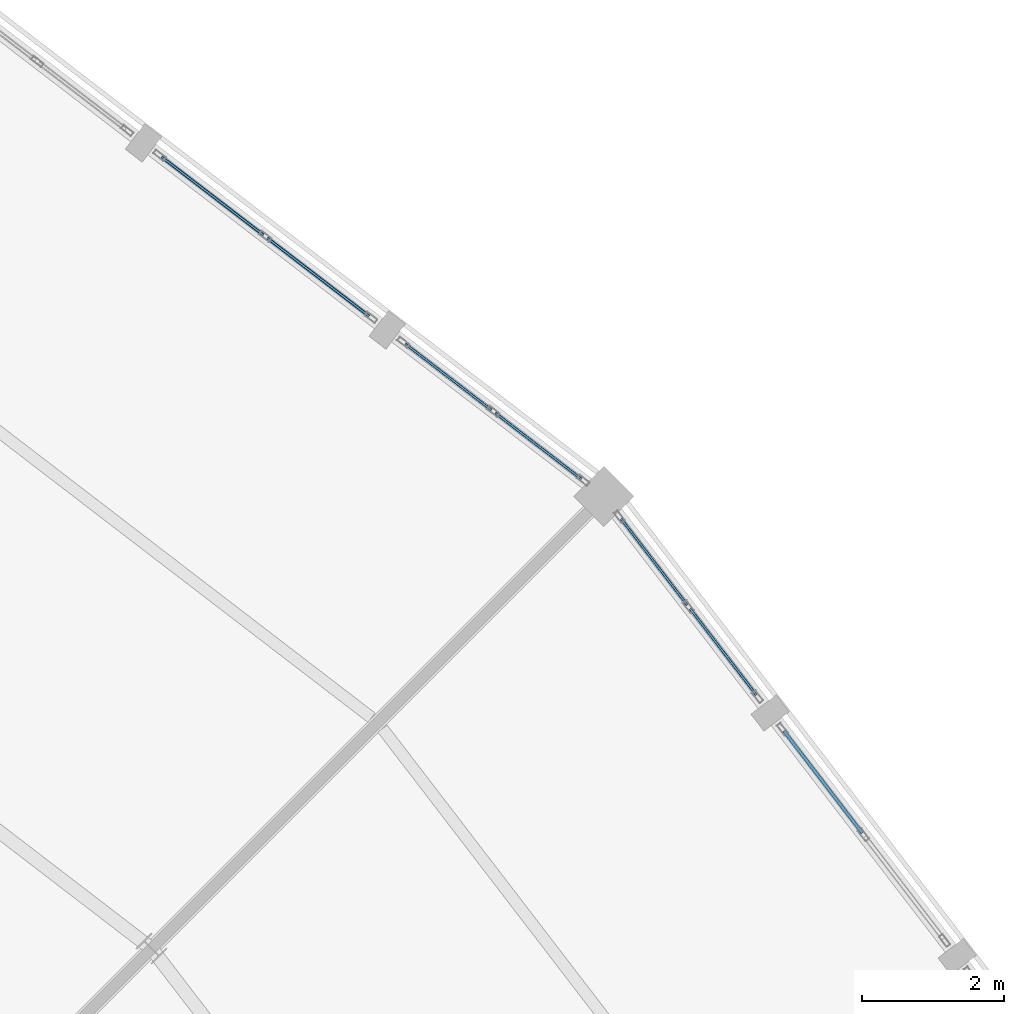
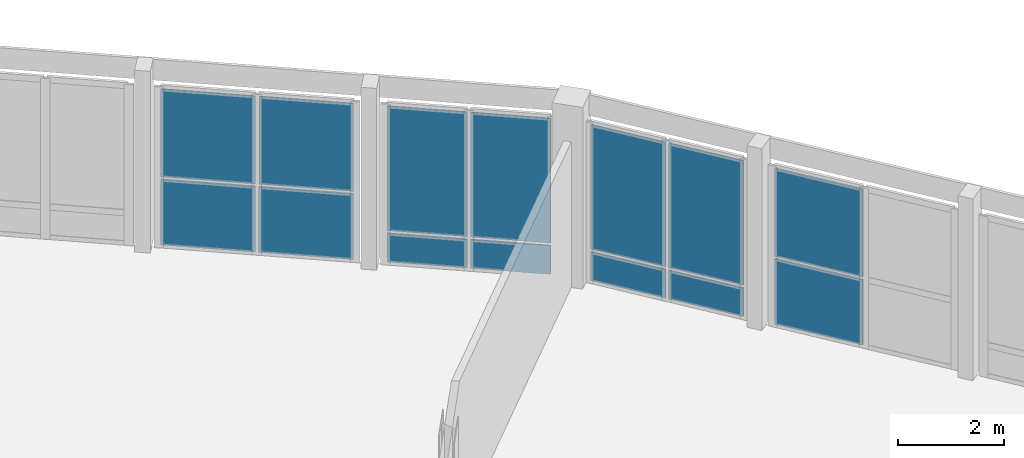
# One storey, part 135 of 170: 14 plates, 4 elements without a shape of their own.
"""IFC4 building model written with IfcOpenShell, lengths in metres."""

from ifc_helpers import new_model, si_unit, direction, frame, origin, origin_2d, place, context, subcontext, project, spatial, rectangle, extrude, material, layer, layer_set, type_object, element, aggregate, save


model = new_model("IFC4")

# Units and contexts
model_context = context("Model", 3, precision=1e-05, world=origin(), true_north=direction((0.0, 1.0)))
body_context = subcontext(model_context, "Body", "Model", "MODEL_VIEW")
ifc_project = project(units=[si_unit("LENGTHUNIT", "METRE"), si_unit("AREAUNIT", "SQUARE_METRE"), si_unit("VOLUMEUNIT", "CUBIC_METRE"), si_unit("PLANEANGLEUNIT", "RADIAN"), si_unit("MASSUNIT", "GRAM", prefix="KILO")], contexts=[model_context])

# Site, building, storey
site_placement = place(None, origin())
site = spatial("IfcSite", under=ifc_project, at=site_placement, CompositionType="ELEMENT")
building_placement = place(site_placement, origin())
building = spatial("IfcBuilding", under=site, at=building_placement, Name="Vondelvale Polytechnic", CompositionType="ELEMENT")
storey_placement = place(building_placement, frame((0.0, 0.0, 5.39990234375)))
storey = spatial("IfcBuildingStorey", under=building, at=storey_placement, Name="L01", CompositionType="ELEMENT", Elevation=5.39990234375)

# Curtain wall, plates
ifc_material_1 = material(Name="Glulam GL18 structural Tasmanian oak (fb = 42 MPa)", Category="wood")
curtain_wall_type = type_object("IfcCurtainWallType", Name="CW-RING-OUTER", PredefinedType="NOTDEFINED", material=ifc_material_1)
curtain_wall_1_placement = place(storey_placement, origin())
curtain_wall_1 = element("IfcCurtainWall", 1, at=curtain_wall_1_placement, inside=storey, type_object=curtain_wall_type, Name="L01 architectural curtain wall CW-04-092", PredefinedType="NOTDEFINED")
ifc_material_2 = material(Name="Double-glazed low-E insulated architectural glass", Category="glass")
ifc_layer_1 = layer(ifc_material_2, 0.028076171875)
ifc_layer_set_1 = layer_set([ifc_layer_1], Name="CW-PANEL-GLAZED")
plate_type_1 = type_object("IfcPlateType", Name="CW-PANEL-GLAZED", PredefinedType="CURTAIN_PANEL", material=ifc_layer_set_1)
plate_1_placement = place(storey_placement, frame((136.205810546875, 102.339111328125, 0.7802734375), z_axis=(0.0, 0.0, 1.0), x_axis=(-0.608786860133, 0.793333825656, 0.0)))
plate_1 = element("IfcPlate", 2, at=plate_1_placement, type_object=plate_type_1, Name="CW-04-092 panel 1.2", PredefinedType="CURTAIN_PANEL", context=body_context, shape_type="SweptSolid", body=[
    extrude(rectangle(XDim=1.530029296875, YDim=0.028076171875, at=origin_2d()), origin(), (0.0, 0.0, 1.0), 2.8798828125),
])
plate_2_placement = place(storey_placement, frame((135.234619140625, 103.6044921875, 0.7802734375), z_axis=(0.0, 0.0, 1.0), x_axis=(-0.608786860133, 0.793333825656, 0.0)))
plate_2 = element("IfcPlate", 3, at=plate_2_placement, type_object=plate_type_1, Name="CW-04-092 panel 2.2", PredefinedType="CURTAIN_PANEL", context=body_context, shape_type="SweptSolid", body=[
    extrude(rectangle(XDim=1.530029296875, YDim=0.028076171875, at=origin_2d()), origin(), (0.0, 0.0, 1.0), 2.8798828125),
])

curtain_wall_2_placement = place(storey_placement, origin())
curtain_wall_2 = element("IfcCurtainWall", 4, at=curtain_wall_2_placement, inside=storey, type_object=curtain_wall_type, Name="L01 architectural curtain wall CW-04-101", PredefinedType="NOTDEFINED")
plate_3_placement = place(storey_placement, frame((133.6044921875, 105.234619140625, 0.7802734375), z_axis=(0.0, 0.0, 1.0), x_axis=(-0.793333825656, 0.608786860133, 0.0)))
plate_3 = element("IfcPlate", 5, at=plate_3_placement, type_object=plate_type_1, Name="CW-04-101 panel 1.2", PredefinedType="CURTAIN_PANEL", context=body_context, shape_type="SweptSolid", body=[
    extrude(rectangle(XDim=1.530029296875, YDim=0.028076171875, at=origin_2d()), origin(), (0.0, 0.0, 1.0), 2.8798828125),
])
plate_4_placement = place(storey_placement, frame((132.339111328125, 106.205810546875, 0.7802734375), z_axis=(0.0, 0.0, 1.0), x_axis=(-0.793333825656, 0.608786860133, 0.0)))
plate_4 = element("IfcPlate", 6, at=plate_4_placement, type_object=plate_type_1, Name="CW-04-101 panel 2.2", PredefinedType="CURTAIN_PANEL", context=body_context, shape_type="SweptSolid", body=[
    extrude(rectangle(XDim=1.530029296875, YDim=0.028076171875, at=origin_2d()), origin(), (0.0, 0.0, 1.0), 2.8798828125),
])

curtain_wall_3_placement = place(storey_placement, origin())
curtain_wall_3 = element("IfcCurtainWall", 7, at=curtain_wall_3_placement, inside=storey, type_object=curtain_wall_type, Name="L01 architectural curtain wall CW-04-102", PredefinedType="NOTDEFINED")
plate_5_placement = place(storey_placement, frame((130.5068359375, 107.611572265625, 1.6298828125), z_axis=(0.0, 0.0, 1.0), x_axis=(-0.793345851043, 0.608771189063, 0.0)))
plate_5 = element("IfcPlate", 8, at=plate_5_placement, type_object=plate_type_1, Name="CW-04-102 panel 1.2", PredefinedType="CURTAIN_PANEL", context=body_context, shape_type="SweptSolid", body=[
    extrude(rectangle(XDim=1.80908203125, YDim=0.028076171875, at=origin_2d()), origin(), (0.0, 0.0, 1.0), 2.030029296875),
])
plate_6_placement = place(storey_placement, frame((129.02001953125, 108.75244140625, 1.6298828125), z_axis=(0.0, 0.0, 1.0), x_axis=(-0.793345851043, 0.608771189063, 0.0)))
plate_6 = element("IfcPlate", 9, at=plate_6_placement, type_object=plate_type_1, Name="CW-04-102 panel 2.2", PredefinedType="CURTAIN_PANEL", context=body_context, shape_type="SweptSolid", body=[
    extrude(rectangle(XDim=1.80908203125, YDim=0.028076171875, at=origin_2d()), origin(), (0.0, 0.0, 1.0), 2.030029296875),
])

curtain_wall_4_placement = place(storey_placement, origin())
curtain_wall_4 = element("IfcCurtainWall", 10, at=curtain_wall_4_placement, inside=storey, type_object=curtain_wall_type, Name="L01 architectural curtain wall CW-04-091", PredefinedType="NOTDEFINED")
ifc_material_3 = material(Name="Engineered Tasmanian oak studio and bridge joinery")
ifc_layer_2 = layer(ifc_material_3, 0.0419921875)
ifc_layer_set_2 = layer_set([ifc_layer_2], Name="CW-PANEL-OAK")
plate_type_2 = type_object("IfcPlateType", Name="CW-PANEL-OAK", PredefinedType="CURTAIN_PANEL", material=ifc_layer_set_2)
plate_7_placement = place(storey_placement, frame((137.611572265625, 100.5068359375, 0.06005859375), z_axis=(0.0, 0.0, 1.0), x_axis=(-0.608771189063, 0.793345851043, 0.0)))
plate_7 = element("IfcPlate", 11, at=plate_7_placement, type_object=plate_type_2, Name="CW-04-091 panel 2.1", PredefinedType="CURTAIN_PANEL", context=body_context, shape_type="SweptSolid", body=[
    extrude(rectangle(XDim=1.80908203125, YDim=0.0419921875, at=origin_2d()), origin(), (0.0, 0.0, 1.0), 1.510009765625),
])
plate_8_placement = place(storey_placement, frame((137.611572265625, 100.5068359375, 1.6298828125), z_axis=(0.0, 0.0, 1.0), x_axis=(-0.608771189063, 0.793345851043, 0.0)))
plate_8 = element("IfcPlate", 12, at=plate_8_placement, type_object=plate_type_2, Name="CW-04-091 panel 2.2", PredefinedType="CURTAIN_PANEL", context=body_context, shape_type="SweptSolid", body=[
    extrude(rectangle(XDim=1.80908203125, YDim=0.0419921875, at=origin_2d()), origin(), (0.0, 0.0, 1.0), 2.030029296875),
])
aggregate(curtain_wall_4, [plate_7, plate_8])

# Plate
plate_9_placement = place(storey_placement, frame((130.5068359375, 107.611572265625, 0.06005859375), z_axis=(0.0, 0.0, 1.0), x_axis=(-0.793345851043, 0.608771189063, 0.0)))
plate_9 = element("IfcPlate", 13, at=plate_9_placement, type_object=plate_type_2, Name="CW-04-102 panel 1.1", PredefinedType="CURTAIN_PANEL", context=body_context, shape_type="SweptSolid", body=[
    extrude(rectangle(XDim=1.80908203125, YDim=0.0419921875, at=origin_2d()), origin(), (0.0, 0.0, 1.0), 1.510009765625),
])

plate_10_placement = place(storey_placement, frame((129.02001953125, 108.75244140625, 0.06005859375), z_axis=(0.0, 0.0, 1.0), x_axis=(-0.793345851043, 0.608771189063, 0.0)))
plate_10 = element("IfcPlate", 14, at=plate_10_placement, type_object=plate_type_2, Name="CW-04-102 panel 2.1", PredefinedType="CURTAIN_PANEL", context=body_context, shape_type="SweptSolid", body=[
    extrude(rectangle(XDim=1.80908203125, YDim=0.0419921875, at=origin_2d()), origin(), (0.0, 0.0, 1.0), 1.510009765625),
])

aggregate(curtain_wall_3, [plate_9, plate_5, plate_10, plate_6])

ifc_material_4 = material(Name="Kiln-fired architectural terracotta", Category="masonry")
ifc_layer_3 = layer(ifc_material_4, 0.035888671875)
ifc_layer_set_3 = layer_set([ifc_layer_3], Name="CW-PANEL-SPANDREL")
plate_type_3 = type_object("IfcPlateType", Name="CW-PANEL-SPANDREL", PredefinedType="CURTAIN_PANEL", material=ifc_layer_set_3)
plate_11_placement = place(storey_placement, frame((136.205810546875, 102.339111328125, 0.06005859375), z_axis=(0.0, 0.0, 1.0), x_axis=(-0.608786860133, 0.793333825656, 0.0)))
plate_11 = element("IfcPlate", 15, at=plate_11_placement, type_object=plate_type_3, Name="CW-04-092 panel 1.1", PredefinedType="CURTAIN_PANEL", context=body_context, shape_type="SweptSolid", body=[
    extrude(rectangle(XDim=1.530029296875, YDim=0.035888671875, at=origin_2d()), origin(), (0.0, 0.0, 1.0), 0.659912109375),
])

plate_12_placement = place(storey_placement, frame((135.234619140625, 103.6044921875, 0.06005859375), z_axis=(0.0, 0.0, 1.0), x_axis=(-0.608786860133, 0.793333825656, 0.0)))
plate_12 = element("IfcPlate", 16, at=plate_12_placement, type_object=plate_type_3, Name="CW-04-092 panel 2.1", PredefinedType="CURTAIN_PANEL", context=body_context, shape_type="SweptSolid", body=[
    extrude(rectangle(XDim=1.530029296875, YDim=0.035888671875, at=origin_2d()), origin(), (0.0, 0.0, 1.0), 0.659912109375),
])

aggregate(curtain_wall_1, [plate_11, plate_1, plate_12, plate_2])

plate_13_placement = place(storey_placement, frame((133.6044921875, 105.234619140625, 0.06005859375), z_axis=(0.0, 0.0, 1.0), x_axis=(-0.793333825656, 0.608786860133, 0.0)))
plate_13 = element("IfcPlate", 17, at=plate_13_placement, type_object=plate_type_3, Name="CW-04-101 panel 1.1", PredefinedType="CURTAIN_PANEL", context=body_context, shape_type="SweptSolid", body=[
    extrude(rectangle(XDim=1.530029296875, YDim=0.035888671875, at=origin_2d()), origin(), (0.0, 0.0, 1.0), 0.659912109375),
])

plate_14_placement = place(storey_placement, frame((132.339111328125, 106.205810546875, 0.06005859375), z_axis=(0.0, 0.0, 1.0), x_axis=(-0.793333825656, 0.608786860133, 0.0)))
plate_14 = element("IfcPlate", 18, at=plate_14_placement, type_object=plate_type_3, Name="CW-04-101 panel 2.1", PredefinedType="CURTAIN_PANEL", context=body_context, shape_type="SweptSolid", body=[
    extrude(rectangle(XDim=1.530029296875, YDim=0.035888671875, at=origin_2d()), origin(), (0.0, 0.0, 1.0), 0.659912109375),
])

aggregate(curtain_wall_2, [plate_13, plate_3, plate_14, plate_4])

save(model, "model.ifc")
